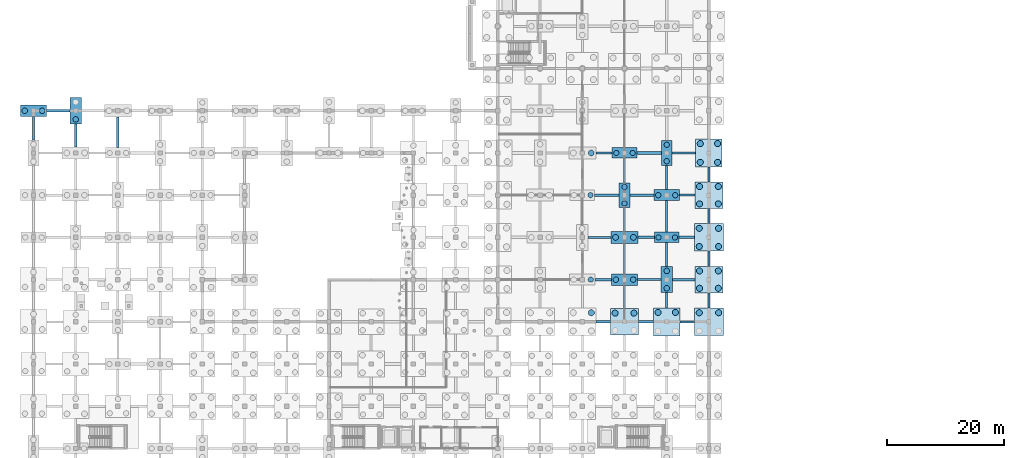
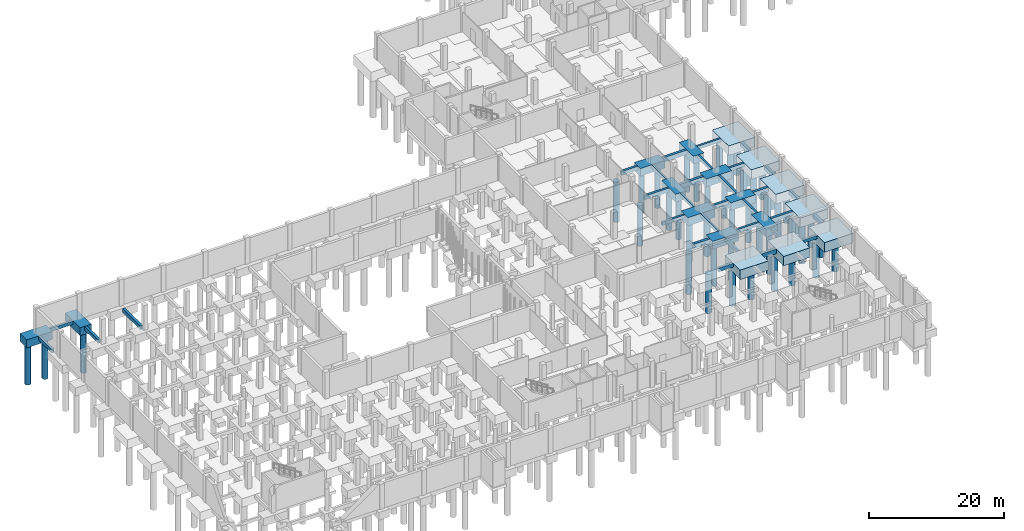
# One storey, part 9 of 35: 48 footings, 45 piles.
"""IFC4 building model written with IfcOpenShell, lengths in metres."""

import ifcopenshell
import ifcopenshell.guid

model = None  # the IFC model being written
_history = None  # IfcOwnerHistory: only IFC2X3 demands one
_inside = {}  # id of a spatial element -> (the spatial element, [elements in it])
_under = {}  # id of a project, library or spatial element -> (it, [spatial elements below it])
_declared = {}  # id of a project -> (the project, [libraries it declares])
_typed = {}  # id of a type object -> (the type object, [elements of that type])
_made_of = {}  # id of a material, layer set ... -> (it, [elements and type objects made of it])


def new_model(schema):
    """Start an empty IFC model of exactly this schema.

    Asked for "IFC4X3", IfcOpenShell would pick the latest addendum, in which some entities
    have other attributes; the version numbers below select the first issue.
    IFC2X3 requires an IfcOwnerHistory on every rooted entity: one is made here for all.
    """
    global model, _history
    if schema == "IFC4X3":
        model = ifcopenshell.file(schema_version=(4, 3, 0, 0))
    else:
        model = ifcopenshell.file(schema=schema)
    _inside.clear()
    _under.clear()
    _declared.clear()
    _typed.clear()
    _made_of.clear()
    _history = None
    if model.schema == "IFC2X3":
        org = make("IfcOrganization", Name="unknown")
        user = make(
            "IfcPersonAndOrganization",
            ThePerson=make("IfcPerson", FamilyName="unknown"),
            TheOrganization=org,
        )
        app = make(
            "IfcApplication",
            ApplicationDeveloper=org,
            Version="unknown",
            ApplicationFullName="unknown",
            ApplicationIdentifier="unknown",
        )
        _history = make(
            "IfcOwnerHistory",
            OwningUser=user,
            OwningApplication=app,
            ChangeAction="ADDED",
            CreationDate=0,
        )
    return model


def make(cls, **values):
    """One entity of the class cls with the attributes given. An attribute that is None is left unset."""
    return model.create_entity(
        cls, **{name: value for name, value in values.items() if value is not None}
    )


def rooted(cls, **values):
    """An entity with a GlobalId (a new one), such as an element, a storey or a relation."""
    return make(cls, GlobalId=ifcopenshell.guid.new(), OwnerHistory=_history, **values)


def si_unit(unit_type, name, prefix=None):
    """IfcSIUnit, for example si_unit("LENGTHUNIT", "METRE", prefix="MILLI")."""
    return make("IfcSIUnit", UnitType=unit_type, Prefix=prefix, Name=name)


def assignment(units):
    """IfcUnitAssignment: the units of a project."""
    return None if units is None else make("IfcUnitAssignment", Units=units)


def point(xyz):
    """IfcCartesianPoint."""
    return None if xyz is None else make("IfcCartesianPoint", Coordinates=xyz)


def direction(xyz):
    """IfcDirection."""
    return None if xyz is None else make("IfcDirection", DirectionRatios=xyz)


def frame(location, z_axis=None, x_axis=None):
    """IfcAxis2Placement3D, a coordinate frame: its origin and axes. An axis left out is left unset."""
    return make(
        "IfcAxis2Placement3D",
        Location=point(location),
        Axis=direction(z_axis),
        RefDirection=direction(x_axis),
    )


def frame_2d(location, x_axis=None):
    """IfcAxis2Placement2D, a coordinate frame in the plane: its origin and x axis."""
    return make(
        "IfcAxis2Placement2D", Location=point(location), RefDirection=direction(x_axis)
    )


def origin():
    """The frame at (0, 0, 0) with its axes left unset."""
    return frame((0.0, 0.0, 0.0))


def origin_2d():
    """The frame at (0, 0) in the plane with its x axis left unset."""
    return frame_2d((0.0, 0.0))


def place(relative_to, where):
    """IfcLocalPlacement: puts the frame where relative to a parent placement (None: the world)."""
    return make(
        "IfcLocalPlacement", PlacementRelTo=relative_to, RelativePlacement=where
    )


def context(
    kind, dimensions, precision=None, world=None, true_north=None, identifier=None
):
    """IfcGeometricRepresentationContext, for example the 3D "Model" context."""
    return make(
        "IfcGeometricRepresentationContext",
        ContextIdentifier=identifier,
        ContextType=kind,
        CoordinateSpaceDimension=dimensions,
        Precision=precision,
        WorldCoordinateSystem=world,
        TrueNorth=true_north,
    )


def subcontext(parent, identifier, kind, view, scale=None):
    """IfcGeometricRepresentationSubContext, for example "Body" below "Model"."""
    return make(
        "IfcGeometricRepresentationSubContext",
        ContextIdentifier=identifier,
        ContextType=kind,
        ParentContext=parent,
        TargetScale=scale,
        TargetView=view,
    )


def project(units=None, contexts=None):
    """IfcProject with its units and contexts."""
    return rooted(
        "IfcProject",
        Name="project",
        RepresentationContexts=contexts,
        UnitsInContext=assignment(units),
    )


def spatial(cls, under=None, at=None, **own):
    """A site, building, storey or space (cls), placed at a placement, below another one or the project."""
    s = rooted(cls, ObjectPlacement=at, **own)
    if under is not None:
        _under.setdefault(under.id(), (under, []))[1].append(s)
    return s


def profile(cls, at=None, kind="AREA", **sizes):
    """A parametric profile (cls). Its sizes go by their IFC names, for example OverallWidth=200.0."""
    return make(cls, ProfileType=kind, Position=at, **sizes)


def rectangle(**sizes):
    """IfcRectangleProfileDef."""
    return profile("IfcRectangleProfileDef", **sizes)


def circle(**sizes):
    """IfcCircleProfileDef."""
    return profile("IfcCircleProfileDef", **sizes)


def extrude(swept, where, along, depth):
    """IfcExtrudedAreaSolid: the profile swept, set in the frame where, extruded along a direction by depth."""
    return make(
        "IfcExtrudedAreaSolid",
        SweptArea=swept,
        Position=where,
        ExtrudedDirection=direction(along),
        Depth=depth,
    )


def shape(context_of_items, identifier, shape_type, items):
    """IfcShapeRepresentation: the items that make up one representation, for example the "Body"."""
    return make(
        "IfcShapeRepresentation",
        ContextOfItems=context_of_items,
        RepresentationIdentifier=identifier,
        RepresentationType=shape_type,
        Items=items,
    )


def material(Name=None, Category=None):
    """IfcMaterial."""
    return make("IfcMaterial", Name=Name, Category=Category)


def material_profile(
    of_material, cross_section, Name=None, Category=None, Priority=None
):
    """IfcMaterialProfile: a cross section and its material."""
    return make(
        "IfcMaterialProfile",
        Name=Name,
        Material=of_material,
        Profile=cross_section,
        Priority=Priority,
        Category=Category,
    )


def profile_set(profiles, Name=None, composite=None):
    """IfcMaterialProfileSet."""
    return make(
        "IfcMaterialProfileSet",
        Name=Name,
        MaterialProfiles=profiles,
        CompositeProfile=composite,
    )


def made_of(thing, what):
    """Note that an element or type object is made of a material, layer set ...; save() writes the relation."""
    if what is not None:
        _made_of.setdefault(what.id(), (what, []))[1].append(thing)
    return thing


def type_object(cls, material=None, **own):
    """A type object (cls), such as IfcWallType, which elements share."""
    return made_of(rooted(cls, **own), material)


def element(
    cls,
    number,
    at=None,
    inside=None,
    cuts=None,
    type_object=None,
    material=None,
    context=None,
    identifier="Body",
    shape_type=None,
    held_by="IfcProductDefinitionShape",
    body=None,
    shapes=None,
    **own,
):
    """One element of the class cls, such as IfcWall. Its Tag is "e" and its number.

    at: its placement. inside: the storey or other place that contains it. cuts: it is an
    opening in that element (IfcRelVoidsElement). A single representation is given by context,
    identifier, shape_type and body (its items); several are given by shapes. held_by: the class
    of the entity that holds the representations. save() writes the other relations.
    """
    e = rooted(cls, Tag="e%d" % number, ObjectPlacement=at, **own)
    if body is not None:
        shapes = [shape(context, identifier, shape_type, body)]
    if shapes is not None:
        e.Representation = make(held_by, Representations=shapes)
    if inside is not None:
        _inside.setdefault(inside.id(), (inside, []))[1].append(e)
    if cuts is not None:
        rooted(
            "IfcRelVoidsElement", RelatingBuildingElement=cuts, RelatedOpeningElement=e
        )
    if type_object is not None:
        _typed.setdefault(type_object.id(), (type_object, []))[1].append(e)
    return made_of(e, material)


def aggregate(whole, parts):
    """IfcRelAggregates: a whole, such as a stair, and the parts it consists of."""
    return rooted("IfcRelAggregates", RelatingObject=whole, RelatedObjects=parts)


def save(model, path):
    """Write the relations noted so far, then the file.

    IfcRelAggregates (storeys below a building ...), IfcRelContainedInSpatialStructure (elements
    in a storey), IfcRelDefinesByType, IfcRelAssociatesMaterial and IfcRelDeclares: one each for
    every whole, place, type object, material and project.
    """
    for whole, parts in _under.values():
        aggregate(whole, parts)
    for where, things in _inside.values():
        rooted(
            "IfcRelContainedInSpatialStructure",
            RelatedElements=things,
            RelatingStructure=where,
        )
    for kind, things in _typed.values():
        rooted("IfcRelDefinesByType", RelatedObjects=things, RelatingType=kind)
    for what, things in _made_of.values():
        rooted("IfcRelAssociatesMaterial", RelatedObjects=things, RelatingMaterial=what)
    for by, libraries in _declared.values():
        rooted("IfcRelDeclares", RelatingContext=by, RelatedDefinitions=libraries)
    model.write(path)


model = new_model("IFC4")

# Units and contexts
model_context = context("Model", 3, precision=1e-05, world=origin(), true_north=direction((0.0, 1.0)))
body_context = subcontext(model_context, "Body", "Model", "MODEL_VIEW")
ifc_project = project(units=[si_unit("LENGTHUNIT", "METRE"), si_unit("AREAUNIT", "SQUARE_METRE"), si_unit("VOLUMEUNIT", "CUBIC_METRE"), si_unit("PLANEANGLEUNIT", "RADIAN"), si_unit("MASSUNIT", "GRAM", prefix="KILO"), si_unit("THERMODYNAMICTEMPERATUREUNIT", "KELVIN"), si_unit("POWERUNIT", "WATT")], contexts=[model_context])

# Site, building, storey
site_placement = place(None, origin())
site = spatial("IfcSite", under=ifc_project, at=site_placement, CompositionType="ELEMENT")
building_placement = place(site_placement, origin())
building = spatial("IfcBuilding", under=site, at=building_placement, Name="Kaldorven Railside Theatre", CompositionType="ELEMENT")
storey_placement = place(building_placement, frame((0.0, 0.0, -4.800048828125)))
storey = spatial("IfcBuildingStorey", under=building, at=storey_placement, Name="B1", CompositionType="ELEMENT", Elevation=-4.800048828125)

# Footings
ifc_material_1 = material(Name="Concrete C40/50", Category="concrete")
ifc_material_profile_1 = material_profile(ifc_material_1, rectangle(XDim=0.449951171875, YDim=0.800048828125, at=origin_2d()), Name="RC 450x800")
ifc_profile_set_1 = profile_set([ifc_material_profile_1], Name="Concrete C40/50")
footing_type_1 = type_object("IfcFootingType", Name="FTG-GB01", PredefinedType="FOOTING_BEAM", material=ifc_profile_set_1)
footing_1_placement = place(storey_placement, frame((111.199951171875, 40.800048828125, -0.39990234375), z_axis=(1.0, 0.0, 0.0), x_axis=(0.0, 1.0, 0.0)))
element("IfcFooting", 1, at=footing_1_placement, inside=storey, type_object=footing_type_1, Name="Foundation Tie Beam GB-174", PredefinedType="FOOTING_BEAM", context=body_context, shape_type="SweptSolid", body=[
    extrude(rectangle(XDim=0.449951171875, YDim=0.800048828125, at=origin_2d()), origin(), (0.0, 0.0, 1.0), 2.550048828125),
])
footing_2_placement = place(storey_placement, frame((103.77490234375, 48.0, -0.39990234375), z_axis=(1.0, 0.0, 0.0), x_axis=(0.0, 1.0, 0.0)))
element("IfcFooting", 2, at=footing_2_placement, inside=storey, type_object=footing_type_1, Name="Foundation Tie Beam GB-198", PredefinedType="FOOTING_BEAM", context=body_context, shape_type="SweptSolid", body=[
    extrude(rectangle(XDim=0.449951171875, YDim=0.800048828125, at=origin_2d()), origin(), (0.0, 0.0, 1.0), 2.800048828125),
])
footing_3_placement = place(storey_placement, frame((118.10009765625, 55.199951171875, -0.39990234375), z_axis=(1.0, 0.0, 0.0), x_axis=(0.0, 1.0, 0.0)))
element("IfcFooting", 3, at=footing_3_placement, inside=storey, type_object=footing_type_1, Name="Foundation Tie Beam GB-228", PredefinedType="FOOTING_BEAM", context=body_context, shape_type="SweptSolid", body=[
    extrude(rectangle(XDim=0.449951171875, YDim=0.800048828125, at=origin_2d()), origin(), (0.0, 0.0, 1.0), 2.64990234375),
])
footing_4_placement = place(storey_placement, frame((109.699951171875, 62.39990234375, -0.39990234375), z_axis=(1.0, 0.0, 0.0), x_axis=(0.0, 1.0, 0.0)))
element("IfcFooting", 4, at=footing_4_placement, inside=storey, type_object=footing_type_1, Name="Foundation Tie Beam GB-252", PredefinedType="FOOTING_BEAM", context=body_context, shape_type="SweptSolid", body=[
    extrude(rectangle(XDim=0.449951171875, YDim=0.800048828125, at=origin_2d()), origin(), (0.0, 0.0, 1.0), 4.125),
])
footing_5_placement = place(storey_placement, frame((110.89990234375, 69.60009765625, -0.39990234375), z_axis=(1.0, 0.0, 0.0), x_axis=(0.0, 1.0, 0.0)))
element("IfcFooting", 5, at=footing_5_placement, inside=storey, type_object=footing_type_1, Name="Foundation Tie Beam GB-285", PredefinedType="FOOTING_BEAM", context=body_context, shape_type="SweptSolid", body=[
    extrude(rectangle(XDim=0.449951171875, YDim=0.800048828125, at=origin_2d()), origin(), (0.0, 0.0, 1.0), 4.2001953125),
])
ifc_material_profile_2 = material_profile(ifc_material_1, rectangle(XDim=0.39990234375, YDim=0.699951171875, at=origin_2d()), Name="RC 400x700")
ifc_profile_set_2 = profile_set([ifc_material_profile_2], Name="Concrete C40/50")
footing_type_2 = type_object("IfcFootingType", Name="FTG-GB02", PredefinedType="FOOTING_BEAM", material=ifc_profile_set_2)
footing_6_placement = place(storey_placement, frame((103.925048828125, 40.800048828125, -0.349853515625), z_axis=(1.0, 0.0, 0.0), x_axis=(0.0, 1.0, 0.0)))
element("IfcFooting", 6, at=footing_6_placement, inside=storey, type_object=footing_type_2, Name="Foundation Tie Beam GB-172", PredefinedType="FOOTING_BEAM", context=body_context, shape_type="SweptSolid", body=[
    extrude(rectangle(XDim=0.39990234375, YDim=0.699951171875, at=origin_2d()), origin(), (0.0, 0.0, 1.0), 2.474853515625),
])
footing_7_placement = place(storey_placement, frame((123.199951171875, 43.14990234375, -0.349853515625), z_axis=(0.0, 1.0, 0.0), x_axis=(-1.0, 0.0, 0.0)))
element("IfcFooting", 7, at=footing_7_placement, inside=storey, type_object=footing_type_2, Name="Foundation Tie Beam GB-178", PredefinedType="FOOTING_BEAM", context=body_context, shape_type="SweptSolid", body=[
    extrude(rectangle(XDim=0.39990234375, YDim=0.699951171875, at=origin_2d()), origin(), (0.0, 0.0, 1.0), 2.60009765625),
])
footing_8_placement = place(storey_placement, frame((116.97509765625, 48.0, -0.349853515625), z_axis=(1.0, 0.0, 0.0), x_axis=(0.0, 1.0, 0.0)))
element("IfcFooting", 8, at=footing_8_placement, inside=storey, type_object=footing_type_2, Name="Foundation Tie Beam GB-202", PredefinedType="FOOTING_BEAM", context=body_context, shape_type="SweptSolid", body=[
    extrude(rectangle(XDim=0.39990234375, YDim=0.699951171875, at=origin_2d()), origin(), (0.0, 0.0, 1.0), 3.824951171875),
])
footing_9_placement = place(storey_placement, frame((123.199951171875, 50.25, -0.349853515625), z_axis=(0.0, 1.0, 0.0), x_axis=(-1.0, 0.0, 0.0)))
element("IfcFooting", 9, at=footing_9_placement, inside=storey, type_object=footing_type_2, Name="Foundation Tie Beam GB-204", PredefinedType="FOOTING_BEAM", context=body_context, shape_type="SweptSolid", body=[
    extrude(rectangle(XDim=0.39990234375, YDim=0.699951171875, at=origin_2d()), origin(), (0.0, 0.0, 1.0), 2.60009765625),
])
footing_10_placement = place(storey_placement, frame((111.10009765625, 55.199951171875, -0.349853515625), z_axis=(1.0, 0.0, 0.0), x_axis=(0.0, 1.0, 0.0)))
element("IfcFooting", 10, at=footing_10_placement, inside=storey, type_object=footing_type_2, Name="Foundation Tie Beam GB-226", PredefinedType="FOOTING_BEAM", context=body_context, shape_type="SweptSolid", body=[
    extrude(rectangle(XDim=0.39990234375, YDim=0.699951171875, at=origin_2d()), origin(), (0.0, 0.0, 1.0), 2.7998046875),
])
footing_11_placement = place(storey_placement, frame((123.199951171875, 57.550048828125, -0.349853515625), z_axis=(0.0, 1.0, 0.0), x_axis=(-1.0, 0.0, 0.0)))
element("IfcFooting", 11, at=footing_11_placement, inside=storey, type_object=footing_type_2, Name="Foundation Tie Beam GB-230", PredefinedType="FOOTING_BEAM", context=body_context, shape_type="SweptSolid", body=[
    extrude(rectangle(XDim=0.39990234375, YDim=0.699951171875, at=origin_2d()), origin(), (0.0, 0.0, 1.0), 2.599853515625),
])
footing_12_placement = place(storey_placement, frame((103.699951171875, 62.39990234375, -0.349853515625), z_axis=(1.0, 0.0, 0.0), x_axis=(0.0, 1.0, 0.0)))
element("IfcFooting", 12, at=footing_12_placement, inside=storey, type_object=footing_type_2, Name="Foundation Tie Beam GB-250", PredefinedType="FOOTING_BEAM", context=body_context, shape_type="SweptSolid", body=[
    extrude(rectangle(XDim=0.39990234375, YDim=0.699951171875, at=origin_2d()), origin(), (0.0, 0.0, 1.0), 4.199951171875),
])
footing_13_placement = place(storey_placement, frame((123.199951171875, 64.64990234375, -0.349853515625), z_axis=(0.0, 1.0, 0.0), x_axis=(-1.0, 0.0, 0.0)))
element("IfcFooting", 13, at=footing_13_placement, inside=storey, type_object=footing_type_2, Name="Foundation Tie Beam GB-256", PredefinedType="FOOTING_BEAM", context=body_context, shape_type="SweptSolid", body=[
    extrude(rectangle(XDim=0.39990234375, YDim=0.699951171875, at=origin_2d()), origin(), (0.0, 0.0, 1.0), 2.550048828125),
])
footing_14_placement = place(storey_placement, frame((8.0, 71.824951171875, -0.349853515625), z_axis=(0.0, 1.0, 0.0), x_axis=(-1.0, 0.0, 0.0)))
element("IfcFooting", 14, at=footing_14_placement, inside=storey, type_object=footing_type_2, Name="Foundation Tie Beam GB-258", PredefinedType="FOOTING_BEAM", context=body_context, shape_type="SweptSolid", body=[
    extrude(rectangle(XDim=0.39990234375, YDim=0.699951171875, at=origin_2d()), origin(), (0.0, 0.0, 1.0), 4.0),
])
footing_15_placement = place(storey_placement, frame((15.199951171875, 70.625, -0.349853515625), z_axis=(0.0, 1.0, 0.0), x_axis=(-1.0, 0.0, 0.0)))
element("IfcFooting", 15, at=footing_15_placement, inside=storey, type_object=footing_type_2, Name="Foundation Tie Beam GB-260", PredefinedType="FOOTING_BEAM", context=body_context, shape_type="SweptSolid", body=[
    extrude(rectangle(XDim=0.39990234375, YDim=0.699951171875, at=origin_2d()), origin(), (0.0, 0.0, 1.0), 3.949951171875),
])
footing_16_placement = place(storey_placement, frame((22.39990234375, 70.5, -0.349853515625), z_axis=(0.0, 1.0, 0.0), x_axis=(-1.0, 0.0, 0.0)))
element("IfcFooting", 16, at=footing_16_placement, inside=storey, type_object=footing_type_2, Name="Foundation Tie Beam GB-262", PredefinedType="FOOTING_BEAM", context=body_context, shape_type="SweptSolid", body=[
    extrude(rectangle(XDim=0.39990234375, YDim=0.699951171875, at=origin_2d()), origin(), (0.0, 0.0, 1.0), 5.27490234375),
])
footing_17_placement = place(storey_placement, frame((103.89990234375, 69.60009765625, -0.349853515625), z_axis=(1.0, 0.0, 0.0), x_axis=(0.0, 1.0, 0.0)))
element("IfcFooting", 17, at=footing_17_placement, inside=storey, type_object=footing_type_2, Name="Foundation Tie Beam GB-283", PredefinedType="FOOTING_BEAM", context=body_context, shape_type="SweptSolid", body=[
    extrude(rectangle(XDim=0.39990234375, YDim=0.699951171875, at=origin_2d()), origin(), (0.0, 0.0, 1.0), 2.800048828125),
])
ifc_material_profile_3 = material_profile(ifc_material_1, rectangle(XDim=0.35009765625, YDim=0.60009765625, at=origin_2d()), Name="RC 350x600")
ifc_profile_set_3 = profile_set([ifc_material_profile_3], Name="Concrete C40/50")
footing_type_3 = type_object("IfcFootingType", Name="FTG-GB03", PredefinedType="FOOTING_BEAM", material=ifc_profile_set_3)
footing_18_placement = place(storey_placement, frame((108.800048828125, 43.050048828125, -0.300048828125), z_axis=(0.0, 1.0, 0.0), x_axis=(-1.0, 0.0, 0.0)))
element("IfcFooting", 18, at=footing_18_placement, inside=storey, type_object=footing_type_3, Name="Foundation Tie Beam GB-175", PredefinedType="FOOTING_BEAM", context=body_context, shape_type="SweptSolid", body=[
    extrude(rectangle(XDim=0.35009765625, YDim=0.60009765625, at=origin_2d()), origin(), (0.0, 0.0, 1.0), 3.974853515625),
])
footing_19_placement = place(storey_placement, frame((118.25, 40.800048828125, -0.300048828125), z_axis=(1.0, 0.0, 0.0), x_axis=(0.0, 1.0, 0.0)))
element("IfcFooting", 19, at=footing_19_placement, inside=storey, type_object=footing_type_3, Name="Foundation Tie Beam GB-176", PredefinedType="FOOTING_BEAM", context=body_context, shape_type="SweptSolid", body=[
    extrude(rectangle(XDim=0.35009765625, YDim=0.60009765625, at=origin_2d()), origin(), (0.0, 0.0, 1.0), 2.5),
])
footing_20_placement = place(storey_placement, frame((116.0, 43.199951171875, -0.300048828125), z_axis=(0.0, 1.0, 0.0), x_axis=(-1.0, 0.0, 0.0)))
element("IfcFooting", 20, at=footing_20_placement, inside=storey, type_object=footing_type_3, Name="Foundation Tie Beam GB-177", PredefinedType="FOOTING_BEAM", context=body_context, shape_type="SweptSolid", body=[
    extrude(rectangle(XDim=0.35009765625, YDim=0.60009765625, at=origin_2d()), origin(), (0.0, 0.0, 1.0), 2.574951171875),
])
footing_21_placement = place(storey_placement, frame((111.02490234375, 48.0, -0.300048828125), z_axis=(1.0, 0.0, 0.0), x_axis=(0.0, 1.0, 0.0)))
element("IfcFooting", 21, at=footing_21_placement, inside=storey, type_object=footing_type_3, Name="Foundation Tie Beam GB-200", PredefinedType="FOOTING_BEAM", context=body_context, shape_type="SweptSolid", body=[
    extrude(rectangle(XDim=0.35009765625, YDim=0.60009765625, at=origin_2d()), origin(), (0.0, 0.0, 1.0), 4.0),
])
footing_22_placement = place(storey_placement, frame((108.800048828125, 48.97509765625, -0.300048828125), z_axis=(0.0, 1.0, 0.0), x_axis=(-1.0, 0.0, 0.0)))
element("IfcFooting", 22, at=footing_22_placement, inside=storey, type_object=footing_type_3, Name="Foundation Tie Beam GB-201", PredefinedType="FOOTING_BEAM", context=body_context, shape_type="SweptSolid", body=[
    extrude(rectangle(XDim=0.35009765625, YDim=0.60009765625, at=origin_2d()), origin(), (0.0, 0.0, 1.0), 5.199951171875),
])
footing_23_placement = place(storey_placement, frame((116.0, 50.22509765625, -0.300048828125), z_axis=(0.0, 1.0, 0.0), x_axis=(-1.0, 0.0, 0.0)))
element("IfcFooting", 23, at=footing_23_placement, inside=storey, type_object=footing_type_3, Name="Foundation Tie Beam GB-203", PredefinedType="FOOTING_BEAM", context=body_context, shape_type="SweptSolid", body=[
    extrude(rectangle(XDim=0.35009765625, YDim=0.60009765625, at=origin_2d()), origin(), (0.0, 0.0, 1.0), 4.074951171875),
])
footing_24_placement = place(storey_placement, frame((102.574951171875, 55.199951171875, -0.300048828125), z_axis=(1.0, 0.0, 0.0), x_axis=(0.0, 1.0, 0.0)))
element("IfcFooting", 24, at=footing_24_placement, inside=storey, type_object=footing_type_3, Name="Foundation Tie Beam GB-224", PredefinedType="FOOTING_BEAM", context=body_context, shape_type="SweptSolid", body=[
    extrude(rectangle(XDim=0.35009765625, YDim=0.60009765625, at=origin_2d()), origin(), (0.0, 0.0, 1.0), 3.925048828125),
])
footing_25_placement = place(storey_placement, frame((108.800048828125, 56.22509765625, -0.300048828125), z_axis=(0.0, 1.0, 0.0), x_axis=(-1.0, 0.0, 0.0)))
element("IfcFooting", 25, at=footing_25_placement, inside=storey, type_object=footing_type_3, Name="Foundation Tie Beam GB-227", PredefinedType="FOOTING_BEAM", context=body_context, shape_type="SweptSolid", body=[
    extrude(rectangle(XDim=0.35009765625, YDim=0.60009765625, at=origin_2d()), origin(), (0.0, 0.0, 1.0), 4.074951171875),
])
footing_26_placement = place(storey_placement, frame((116.0, 56.10009765625, -0.300048828125), z_axis=(0.0, 1.0, 0.0), x_axis=(-1.0, 0.0, 0.0)))
element("IfcFooting", 26, at=footing_26_placement, inside=storey, type_object=footing_type_3, Name="Foundation Tie Beam GB-229", PredefinedType="FOOTING_BEAM", context=body_context, shape_type="SweptSolid", body=[
    extrude(rectangle(XDim=0.35009765625, YDim=0.60009765625, at=origin_2d()), origin(), (0.0, 0.0, 1.0), 5.349853515625),
])
footing_27_placement = place(storey_placement, frame((108.800048828125, 64.5, -0.300048828125), z_axis=(0.0, 1.0, 0.0), x_axis=(-1.0, 0.0, 0.0)))
element("IfcFooting", 27, at=footing_27_placement, inside=storey, type_object=footing_type_3, Name="Foundation Tie Beam GB-253", PredefinedType="FOOTING_BEAM", context=body_context, shape_type="SweptSolid", body=[
    extrude(rectangle(XDim=0.35009765625, YDim=0.60009765625, at=origin_2d()), origin(), (0.0, 0.0, 1.0), 4.199951171875),
])
footing_28_placement = place(storey_placement, frame((118.175048828125, 62.39990234375, -0.300048828125), z_axis=(1.0, 0.0, 0.0), x_axis=(0.0, 1.0, 0.0)))
element("IfcFooting", 28, at=footing_28_placement, inside=storey, type_object=footing_type_3, Name="Foundation Tie Beam GB-254", PredefinedType="FOOTING_BEAM", context=body_context, shape_type="SweptSolid", body=[
    extrude(rectangle(XDim=0.35009765625, YDim=0.60009765625, at=origin_2d()), origin(), (0.0, 0.0, 1.0), 2.625),
])
footing_29_placement = place(storey_placement, frame((116.0, 63.35009765625, -0.300048828125), z_axis=(0.0, 1.0, 0.0), x_axis=(-1.0, 0.0, 0.0)))
element("IfcFooting", 29, at=footing_29_placement, inside=storey, type_object=footing_type_3, Name="Foundation Tie Beam GB-255", PredefinedType="FOOTING_BEAM", context=body_context, shape_type="SweptSolid", body=[
    extrude(rectangle(XDim=0.35009765625, YDim=0.60009765625, at=origin_2d()), origin(), (0.0, 0.0, 1.0), 4.14990234375),
])
footing_30_placement = place(storey_placement, frame((116.89990234375, 69.60009765625, -0.300048828125), z_axis=(1.0, 0.0, 0.0), x_axis=(0.0, 1.0, 0.0)))
element("IfcFooting", 30, at=footing_30_placement, inside=storey, type_object=footing_type_3, Name="Foundation Tie Beam GB-287", PredefinedType="FOOTING_BEAM", context=body_context, shape_type="SweptSolid", body=[
    extrude(rectangle(XDim=0.35009765625, YDim=0.60009765625, at=origin_2d()), origin(), (0.0, 0.0, 1.0), 4.050048828125),
])
footing_31_placement = place(storey_placement, frame((10.22509765625, 76.800048828125, -0.300048828125), z_axis=(1.0, 0.0, 0.0), x_axis=(0.0, 1.0, 0.0)))
element("IfcFooting", 31, at=footing_31_placement, inside=storey, type_object=footing_type_3, Name="Foundation Tie Beam GB-290", PredefinedType="FOOTING_BEAM", context=body_context, shape_type="SweptSolid", body=[
    extrude(rectangle(XDim=0.35009765625, YDim=0.60009765625, at=origin_2d()), origin(), (0.0, 0.0, 1.0), 4.0),
])
footing_type_4 = type_object("IfcFootingType", Name="FTG-PC03", PredefinedType="PILE_CAP", material=ifc_material_1)
for number, where, z_axis, x_axis, name in (
    (32, (116.0, 55.199951171875, -1.39990234375), (0.0, 0.0, 1.0), (1.0, 0.0, 0.0), "Reinforced Concrete Pile Cap FC-126"),
    (33, (108.800048828125, 69.60009765625, -1.39990234375), (0.0, 0.0, 1.0), (1.0, 0.0, 0.0), "Reinforced Concrete Pile Cap FC-156"),
):
    element("IfcFooting", number, at=place(storey_placement, frame(where, z_axis=z_axis, x_axis=x_axis)), inside=storey, type_object=footing_type_4, Name=name, PredefinedType="PILE_CAP", context=body_context, shape_type="SweptSolid", body=[
        extrude(rectangle(XDim=4.199951171875, YDim=1.800048828125, at=origin_2d()), origin(), (0.0, 0.0, 1.0), 1.39990234375),
    ])
footing_type_5 = type_object("IfcFootingType", Name="FTG-PC04", PredefinedType="PILE_CAP", material=ifc_material_1)
for number, where, z_axis, x_axis, name in (
    (34, (108.800048828125, 62.39990234375, -1.39990234375), (0.0, 0.0, 1.0), (1.0, 0.0, 0.0), "Reinforced Concrete Pile Cap FC-139"),
    (35, (116.0, 69.60009765625, -1.39990234375), (0.0, 0.0, 1.0), (1.0, 0.0, 0.0), "Reinforced Concrete Pile Cap FC-157"),
):
    element("IfcFooting", number, at=place(storey_placement, frame(where, z_axis=z_axis, x_axis=x_axis)), inside=storey, type_object=footing_type_5, Name=name, PredefinedType="PILE_CAP", context=body_context, shape_type="SweptSolid", body=[
        extrude(rectangle(XDim=1.800048828125, YDim=4.199951171875, at=origin_2d()), origin(), (0.0, 0.0, 1.0), 1.39990234375),
    ])
footing_type_6 = type_object("IfcFootingType", Name="FTG-PC05", PredefinedType="PILE_CAP", material=ifc_material_1)
footing_32_placement = place(storey_placement, frame((116.0, 62.39990234375, -1.44970703125), z_axis=(0.0, 0.0, 1.0), x_axis=(1.0, 0.0, 0.0)))
element("IfcFooting", 36, at=footing_32_placement, inside=storey, type_object=footing_type_6, Name="Reinforced Concrete Pile Cap FC-140", PredefinedType="PILE_CAP", context=body_context, shape_type="SweptSolid", body=[
    extrude(rectangle(XDim=4.35009765625, YDim=1.89990234375, at=origin_2d()), origin(), (0.0, 0.0, 1.0), 1.449951171875),
])
footing_type_7 = type_object("IfcFootingType", Name="FTG-PC06", PredefinedType="PILE_CAP", material=ifc_material_1)
for number, where, z_axis, x_axis, name in (
    (37, (108.800048828125, 48.0, -1.44970703125), (0.0, 0.0, 1.0), (1.0, 0.0, 0.0), "Reinforced Concrete Pile Cap FC-111"),
    (38, (8.0, 76.800048828125, -1.44970703125), (0.0, 0.0, 1.0), (1.0, 0.0, 0.0), "Reinforced Concrete Pile Cap FC-159"),
):
    element("IfcFooting", number, at=place(storey_placement, frame(where, z_axis=z_axis, x_axis=x_axis)), inside=storey, type_object=footing_type_7, Name=name, PredefinedType="PILE_CAP", context=body_context, shape_type="SweptSolid", body=[
        extrude(rectangle(XDim=4.449951171875, YDim=1.949951171875, at=origin_2d()), origin(), (0.0, 0.0, 1.0), 1.449951171875),
    ])
footing_type_8 = type_object("IfcFootingType", Name="FTG-PC07", PredefinedType="PILE_CAP", material=ifc_material_1)
for number, where, z_axis, x_axis, name in (
    (39, (116.0, 48.0, -1.44970703125), (0.0, 0.0, 1.0), (1.0, 0.0, 0.0), "Reinforced Concrete Pile Cap FC-112"),
    (40, (15.199951171875, 76.800048828125, -1.44970703125), (0.0, 0.0, 1.0), (1.0, 0.0, 0.0), "Reinforced Concrete Pile Cap FC-160"),
):
    element("IfcFooting", number, at=place(storey_placement, frame(where, z_axis=z_axis, x_axis=x_axis)), inside=storey, type_object=footing_type_8, Name=name, PredefinedType="PILE_CAP", context=body_context, shape_type="SweptSolid", body=[
        extrude(rectangle(XDim=1.949951171875, YDim=4.449951171875, at=origin_2d()), origin(), (0.0, 0.0, 1.0), 1.449951171875),
    ])
footing_type_9 = type_object("IfcFootingType", Name="FTG-PC08", PredefinedType="PILE_CAP", material=ifc_material_1)
footing_33_placement = place(storey_placement, frame((108.800048828125, 55.199951171875, -1.5), z_axis=(0.0, 0.0, 1.0), x_axis=(1.0, 0.0, 0.0)))
element("IfcFooting", 41, at=footing_33_placement, inside=storey, type_object=footing_type_9, Name="Reinforced Concrete Pile Cap FC-125", PredefinedType="PILE_CAP", context=body_context, shape_type="SweptSolid", body=[
    extrude(rectangle(XDim=4.60009765625, YDim=2.050048828125, at=origin_2d()), origin(), (0.0, 0.0, 1.0), 1.5),
])
footing_type_10 = type_object("IfcFootingType", Name="FTG-PC16", PredefinedType="PILE_CAP", material=ifc_material_1)
for number, where, z_axis, x_axis, name in (
    (42, (108.800048828125, 40.800048828125, -1.69970703125), (0.0, 0.0, 1.0), (1.0, 0.0, 0.0), "Reinforced Concrete Pile Cap FC-097"),
    (43, (123.199951171875, 48.0, -1.69970703125), (0.0, 0.0, 1.0), (1.0, 0.0, 0.0), "Reinforced Concrete Pile Cap FC-113"),
    (44, (123.199951171875, 62.39990234375, -1.69970703125), (0.0, 0.0, 1.0), (1.0, 0.0, 0.0), "Reinforced Concrete Pile Cap FC-141"),
):
    element("IfcFooting", number, at=place(storey_placement, frame(where, z_axis=z_axis, x_axis=x_axis)), inside=storey, type_object=footing_type_10, Name=name, PredefinedType="PILE_CAP", context=body_context, shape_type="SweptSolid", body=[
        extrude(rectangle(XDim=4.800048828125, YDim=4.5, at=origin_2d()), origin(), (0.0, 0.0, 1.0), 1.699951171875),
    ])
footing_type_11 = type_object("IfcFootingType", Name="FTG-PC17", PredefinedType="PILE_CAP", material=ifc_material_1)
for number, where, z_axis, x_axis, name in (
    (45, (116.0, 40.800048828125, -1.69970703125), (0.0, 0.0, 1.0), (1.0, 0.0, 0.0), "Reinforced Concrete Pile Cap FC-098"),
    (46, (123.199951171875, 69.60009765625, -1.69970703125), (0.0, 0.0, 1.0), (1.0, 0.0, 0.0), "Reinforced Concrete Pile Cap FC-158"),
):
    element("IfcFooting", number, at=place(storey_placement, frame(where, z_axis=z_axis, x_axis=x_axis)), inside=storey, type_object=footing_type_11, Name=name, PredefinedType="PILE_CAP", context=body_context, shape_type="SweptSolid", body=[
        extrude(rectangle(XDim=4.5, YDim=4.800048828125, at=origin_2d()), origin(), (0.0, 0.0, 1.0), 1.699951171875),
    ])
footing_type_12 = type_object("IfcFootingType", Name="FTG-PC18", PredefinedType="PILE_CAP", material=ifc_material_1)
for number, where, z_axis, x_axis, name in (
    (47, (123.199951171875, 40.800048828125, -1.75), (0.0, 0.0, 1.0), (1.0, 0.0, 0.0), "Reinforced Concrete Pile Cap FC-099"),
    (48, (123.199951171875, 55.199951171875, -1.75), (0.0, 0.0, 1.0), (1.0, 0.0, 0.0), "Reinforced Concrete Pile Cap FC-127"),
):
    element("IfcFooting", number, at=place(storey_placement, frame(where, z_axis=z_axis, x_axis=x_axis)), inside=storey, type_object=footing_type_12, Name=name, PredefinedType="PILE_CAP", context=body_context, shape_type="SweptSolid", body=[
        extrude(rectangle(XDim=4.89990234375, YDim=4.699951171875, at=origin_2d()), origin(), (0.0, 0.0, 1.0), 1.75),
    ])

# Piles
ifc_material_2 = material(Name="Concrete C35/45", Category="concrete")
ifc_material_profile_4 = material_profile(ifc_material_2, circle(Radius=0.5, at=origin_2d()), Name="BP D1000")
ifc_profile_set_4 = profile_set([ifc_material_profile_4], Name="Concrete C35/45")
pile_type_1 = type_object("IfcPileType", Name="PIL-D1000", PredefinedType="BORED", material=ifc_profile_set_4)
for number, where, z_axis, x_axis, name in (
    (49, (107.280029296875, 55.199951171875, -1.39990234375), (0.0, 0.0, -1.0), (1.0, 0.0, 0.0), "Bored Bedrock Socket Pile BP-108-055-1"),
    (50, (110.320068359375, 55.199951171875, -1.39990234375), (0.0, 0.0, -1.0), (1.0, 0.0, 0.0), "Bored Bedrock Socket Pile BP-108-055-2"),
    (51, (103.1201171875, 69.60009765625, -1.39990234375), (0.0, 0.0, -1.0), (1.0, 0.0, 0.0), "Bored Bedrock Socket Pile BP-101-069-2"),
):
    element("IfcPile", number, at=place(storey_placement, frame(where, z_axis=z_axis, x_axis=x_axis)), inside=storey, type_object=pile_type_1, Name=name, PredefinedType="BORED", context=body_context, shape_type="SweptSolid", body=[
        extrude(circle(Radius=0.5, at=origin_2d()), origin(), (0.0, 0.0, 1.0), 7.300048828125),
    ])
ifc_material_profile_5 = material_profile(ifc_material_2, circle(Radius=0.52490234375, at=origin_2d()), Name="BP D1050")
ifc_profile_set_5 = profile_set([ifc_material_profile_5], Name="Concrete C35/45")
pile_type_2 = type_object("IfcPileType", Name="PIL-D1050", PredefinedType="BORED", material=ifc_profile_set_5)
for number, where, z_axis, x_axis, name in (
    (52, (103.14990234375, 42.35009765625, -1.599853515625), (0.0, 0.0, -1.0), (1.0, 0.0, 0.0), "Bored Bedrock Socket Pile BP-101-040-4"),
    (53, (107.199951171875, 42.280029296875, -1.599853515625), (0.0, 0.0, -1.0), (1.0, 0.0, 0.0), "Bored Bedrock Socket Pile BP-108-040-3"),
    (54, (110.39990234375, 42.280029296875, -1.599853515625), (0.0, 0.0, -1.0), (1.0, 0.0, 0.0), "Bored Bedrock Socket Pile BP-108-040-4"),
    (55, (114.52001953125, 42.39990234375, -1.599853515625), (0.0, 0.0, -1.0), (1.0, 0.0, 0.0), "Bored Bedrock Socket Pile BP-116-040-3"),
    (56, (117.47998046875, 42.39990234375, -1.599853515625), (0.0, 0.0, -1.0), (1.0, 0.0, 0.0), "Bored Bedrock Socket Pile BP-116-040-4"),
):
    element("IfcPile", number, at=place(storey_placement, frame(where, z_axis=z_axis, x_axis=x_axis)), inside=storey, type_object=pile_type_2, Name=name, PredefinedType="BORED", context=body_context, shape_type="SweptSolid", body=[
        extrude(circle(Radius=0.52490234375, at=origin_2d()), origin(), (0.0, 0.0, 1.0), 7.10009765625),
    ])
for number, where, z_axis, x_axis, name in (
    (57, (121.550048828125, 42.35009765625, -1.64990234375), (0.0, 0.0, -1.0), (1.0, 0.0, 0.0), "Bored Bedrock Socket Pile BP-123-040-3"),
    (58, (124.85009765625, 42.35009765625, -1.64990234375), (0.0, 0.0, -1.0), (1.0, 0.0, 0.0), "Bored Bedrock Socket Pile BP-123-040-4"),
):
    element("IfcPile", number, at=place(storey_placement, frame(where, z_axis=z_axis, x_axis=x_axis)), inside=storey, type_object=pile_type_2, Name=name, PredefinedType="BORED", context=body_context, shape_type="SweptSolid", body=[
        extrude(circle(Radius=0.52490234375, at=origin_2d()), origin(), (0.0, 0.0, 1.0), 7.050048828125),
    ])
for number, where, z_axis, x_axis, name in (
    (59, (121.60009765625, 46.52001953125, -1.599853515625), (0.0, 0.0, -1.0), (1.0, 0.0, 0.0), "Bored Bedrock Socket Pile BP-123-048-1"),
    (60, (124.800048828125, 46.52001953125, -1.599853515625), (0.0, 0.0, -1.0), (1.0, 0.0, 0.0), "Bored Bedrock Socket Pile BP-123-048-2"),
    (61, (121.60009765625, 49.47998046875, -1.599853515625), (0.0, 0.0, -1.0), (1.0, 0.0, 0.0), "Bored Bedrock Socket Pile BP-123-048-3"),
    (62, (124.800048828125, 49.47998046875, -1.599853515625), (0.0, 0.0, -1.0), (1.0, 0.0, 0.0), "Bored Bedrock Socket Pile BP-123-048-4"),
):
    element("IfcPile", number, at=place(storey_placement, frame(where, z_axis=z_axis, x_axis=x_axis)), inside=storey, type_object=pile_type_2, Name=name, PredefinedType="BORED", context=body_context, shape_type="SweptSolid", body=[
        extrude(circle(Radius=0.52490234375, at=origin_2d()), origin(), (0.0, 0.0, 1.0), 7.10009765625),
    ])
for number, where, z_axis, x_axis, name in (
    (63, (121.550048828125, 53.64990234375, -1.64990234375), (0.0, 0.0, -1.0), (1.0, 0.0, 0.0), "Bored Bedrock Socket Pile BP-123-055-1"),
    (64, (124.85009765625, 53.64990234375, -1.64990234375), (0.0, 0.0, -1.0), (1.0, 0.0, 0.0), "Bored Bedrock Socket Pile BP-123-055-2"),
    (65, (121.550048828125, 56.75, -1.64990234375), (0.0, 0.0, -1.0), (1.0, 0.0, 0.0), "Bored Bedrock Socket Pile BP-123-055-3"),
    (66, (124.85009765625, 56.75, -1.64990234375), (0.0, 0.0, -1.0), (1.0, 0.0, 0.0), "Bored Bedrock Socket Pile BP-123-055-4"),
):
    element("IfcPile", number, at=place(storey_placement, frame(where, z_axis=z_axis, x_axis=x_axis)), inside=storey, type_object=pile_type_2, Name=name, PredefinedType="BORED", context=body_context, shape_type="SweptSolid", body=[
        extrude(circle(Radius=0.52490234375, at=origin_2d()), origin(), (0.0, 0.0, 1.0), 7.050048828125),
    ])
for number, where, z_axis, x_axis, name in (
    (67, (121.60009765625, 60.919921875, -1.599853515625), (0.0, 0.0, -1.0), (1.0, 0.0, 0.0), "Bored Bedrock Socket Pile BP-123-062-1"),
    (68, (124.800048828125, 60.919921875, -1.599853515625), (0.0, 0.0, -1.0), (1.0, 0.0, 0.0), "Bored Bedrock Socket Pile BP-123-062-2"),
    (69, (121.60009765625, 63.8798828125, -1.599853515625), (0.0, 0.0, -1.0), (1.0, 0.0, 0.0), "Bored Bedrock Socket Pile BP-123-062-3"),
    (70, (124.800048828125, 63.8798828125, -1.599853515625), (0.0, 0.0, -1.0), (1.0, 0.0, 0.0), "Bored Bedrock Socket Pile BP-123-062-4"),
    (71, (121.719970703125, 68.0, -1.599853515625), (0.0, 0.0, -1.0), (1.0, 0.0, 0.0), "Bored Bedrock Socket Pile BP-123-069-1"),
    (72, (124.679931640625, 68.0, -1.599853515625), (0.0, 0.0, -1.0), (1.0, 0.0, 0.0), "Bored Bedrock Socket Pile BP-123-069-2"),
    (73, (121.719970703125, 71.199951171875, -1.599853515625), (0.0, 0.0, -1.0), (1.0, 0.0, 0.0), "Bored Bedrock Socket Pile BP-123-069-3"),
    (74, (124.679931640625, 71.199951171875, -1.599853515625), (0.0, 0.0, -1.0), (1.0, 0.0, 0.0), "Bored Bedrock Socket Pile BP-123-069-4"),
):
    element("IfcPile", number, at=place(storey_placement, frame(where, z_axis=z_axis, x_axis=x_axis)), inside=storey, type_object=pile_type_2, Name=name, PredefinedType="BORED", context=body_context, shape_type="SweptSolid", body=[
        extrude(circle(Radius=0.52490234375, at=origin_2d()), origin(), (0.0, 0.0, 1.0), 7.10009765625),
    ])
ifc_material_profile_6 = material_profile(ifc_material_2, circle(Radius=0.449951171875, at=origin_2d()), Name="BP D900")
ifc_profile_set_6 = profile_set([ifc_material_profile_6], Name="Concrete C35/45")
pile_type_3 = type_object("IfcPileType", Name="PIL-D900", PredefinedType="BORED", material=ifc_profile_set_6)
pile_placement = place(storey_placement, frame((103.050048828125, 48.0, -1.349853515625), z_axis=(0.0, 0.0, -1.0), x_axis=(1.0, 0.0, 0.0)))
element("IfcPile", 75, at=pile_placement, inside=storey, type_object=pile_type_3, Name="Bored Bedrock Socket Pile BP-101-048-2", PredefinedType="BORED", context=body_context, shape_type="SweptSolid", body=[
    extrude(circle(Radius=0.449951171875, at=origin_2d()), origin(), (0.0, 0.0, 1.0), 7.35009765625),
])
for number, where, z_axis, x_axis, name in (
    (76, (114.60009765625, 55.199951171875, -1.300048828125), (0.0, 0.0, -1.0), (1.0, 0.0, 0.0), "Bored Bedrock Socket Pile BP-116-055-1"),
    (77, (117.39990234375, 55.199951171875, -1.300048828125), (0.0, 0.0, -1.0), (1.0, 0.0, 0.0), "Bored Bedrock Socket Pile BP-116-055-2"),
    (78, (103.0, 62.39990234375, -1.300048828125), (0.0, 0.0, -1.0), (1.0, 0.0, 0.0), "Bored Bedrock Socket Pile BP-101-062-2"),
    (79, (108.800048828125, 61.0, -1.300048828125), (0.0, 0.0, -1.0), (1.0, 0.0, 0.0), "Bored Bedrock Socket Pile BP-108-062-1"),
    (80, (108.800048828125, 63.800048828125, -1.300048828125), (0.0, 0.0, -1.0), (1.0, 0.0, 0.0), "Bored Bedrock Socket Pile BP-108-062-2"),
):
    element("IfcPile", number, at=place(storey_placement, frame(where, z_axis=z_axis, x_axis=x_axis)), inside=storey, type_object=pile_type_3, Name=name, PredefinedType="BORED", context=body_context, shape_type="SweptSolid", body=[
        extrude(circle(Radius=0.449951171875, at=origin_2d()), origin(), (0.0, 0.0, 1.0), 7.39990234375),
    ])
for number, where, z_axis, x_axis, name in (
    (81, (114.550048828125, 62.39990234375, -1.349853515625), (0.0, 0.0, -1.0), (1.0, 0.0, 0.0), "Bored Bedrock Socket Pile BP-116-062-1"),
    (82, (117.449951171875, 62.39990234375, -1.349853515625), (0.0, 0.0, -1.0), (1.0, 0.0, 0.0), "Bored Bedrock Socket Pile BP-116-062-2"),
):
    element("IfcPile", number, at=place(storey_placement, frame(where, z_axis=z_axis, x_axis=x_axis)), inside=storey, type_object=pile_type_3, Name=name, PredefinedType="BORED", context=body_context, shape_type="SweptSolid", body=[
        extrude(circle(Radius=0.449951171875, at=origin_2d()), origin(), (0.0, 0.0, 1.0), 7.35009765625),
    ])
for number, where, z_axis, x_axis, name in (
    (83, (107.39990234375, 69.60009765625, -1.300048828125), (0.0, 0.0, -1.0), (1.0, 0.0, 0.0), "Bored Bedrock Socket Pile BP-108-069-1"),
    (84, (110.199951171875, 69.60009765625, -1.300048828125), (0.0, 0.0, -1.0), (1.0, 0.0, 0.0), "Bored Bedrock Socket Pile BP-108-069-2"),
    (85, (116.0, 68.199951171875, -1.300048828125), (0.0, 0.0, -1.0), (1.0, 0.0, 0.0), "Bored Bedrock Socket Pile BP-116-069-1"),
    (86, (116.0, 71.0, -1.300048828125), (0.0, 0.0, -1.0), (1.0, 0.0, 0.0), "Bored Bedrock Socket Pile BP-116-069-2"),
):
    element("IfcPile", number, at=place(storey_placement, frame(where, z_axis=z_axis, x_axis=x_axis)), inside=storey, type_object=pile_type_3, Name=name, PredefinedType="BORED", context=body_context, shape_type="SweptSolid", body=[
        extrude(circle(Radius=0.449951171875, at=origin_2d()), origin(), (0.0, 0.0, 1.0), 7.39990234375),
    ])
ifc_material_profile_7 = material_profile(ifc_material_2, circle(Radius=0.47509765625, at=origin_2d()), Name="BP D950")
ifc_profile_set_7 = profile_set([ifc_material_profile_7], Name="Concrete C35/45")
pile_type_4 = type_object("IfcPileType", Name="PIL-D950", PredefinedType="BORED", material=ifc_profile_set_7)
for number, where, z_axis, x_axis, name in (
    (87, (107.320068359375, 48.0, -1.349853515625), (0.0, 0.0, -1.0), (1.0, 0.0, 0.0), "Bored Bedrock Socket Pile BP-108-048-1"),
    (88, (110.280029296875, 48.0, -1.349853515625), (0.0, 0.0, -1.0), (1.0, 0.0, 0.0), "Bored Bedrock Socket Pile BP-108-048-2"),
    (89, (116.0, 46.52001953125, -1.349853515625), (0.0, 0.0, -1.0), (1.0, 0.0, 0.0), "Bored Bedrock Socket Pile BP-116-048-1"),
    (90, (116.0, 49.47998046875, -1.349853515625), (0.0, 0.0, -1.0), (1.0, 0.0, 0.0), "Bored Bedrock Socket Pile BP-116-048-2"),
    (91, (6.52001953125, 76.800048828125, -1.349853515625), (0.0, 0.0, -1.0), (1.0, 0.0, 0.0), "Bored Bedrock Socket Pile BP-008-076-1"),
    (92, (9.47998046875, 76.800048828125, -1.349853515625), (0.0, 0.0, -1.0), (1.0, 0.0, 0.0), "Bored Bedrock Socket Pile BP-008-076-2"),
    (93, (15.199951171875, 75.320068359375, -1.349853515625), (0.0, 0.0, -1.0), (1.0, 0.0, 0.0), "Bored Bedrock Socket Pile BP-015-076-1"),
):
    element("IfcPile", number, at=place(storey_placement, frame(where, z_axis=z_axis, x_axis=x_axis)), inside=storey, type_object=pile_type_4, Name=name, PredefinedType="BORED", context=body_context, shape_type="SweptSolid", body=[
        extrude(circle(Radius=0.47509765625, at=origin_2d()), origin(), (0.0, 0.0, 1.0), 7.35009765625),
    ])

save(model, "model.ifc")
